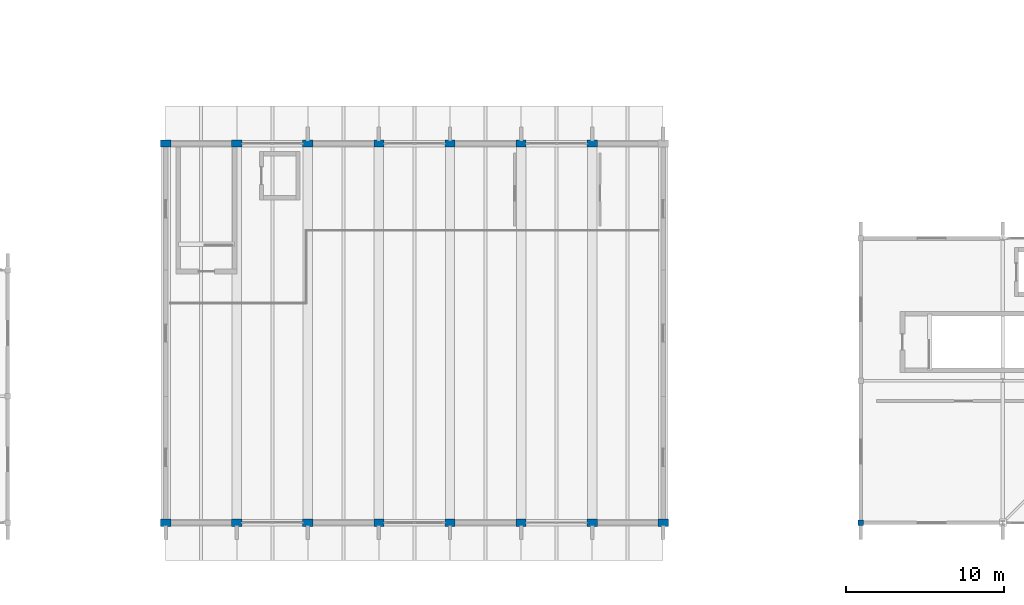
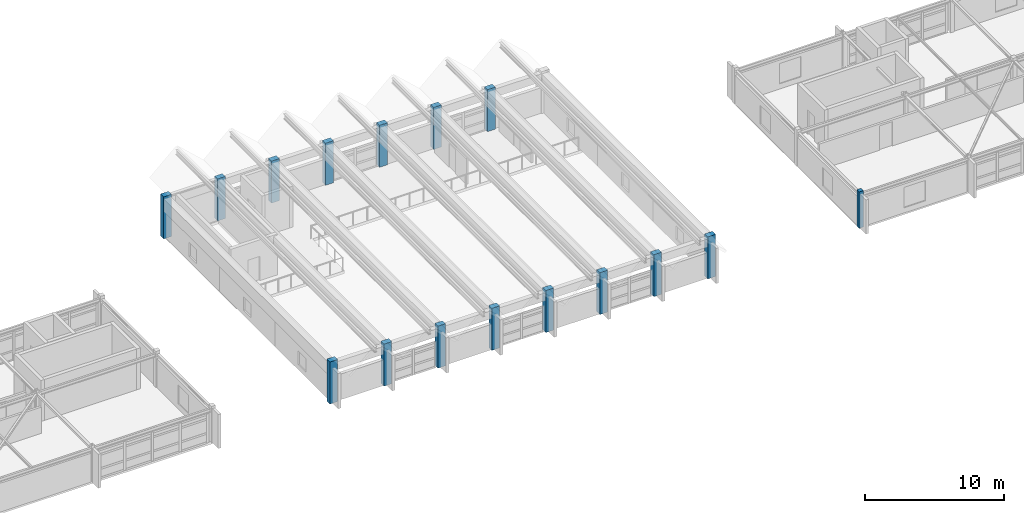
# One storey, part 4 of 83: 16 columns.
"""IFC4 building model written with IfcOpenShell, lengths in metres."""

from ifc_helpers import new_model, si_unit, direction, frame, origin, origin_2d, place, context, subcontext, project, spatial, rectangle, extrude, material, material_profile, profile_set, type_object, element, save


model = new_model("IFC4")

# Units and contexts
model_context = context("Model", 3, precision=1e-05, world=origin(), true_north=direction((0.0, 1.0)))
body_context = subcontext(model_context, "Body", "Model", "MODEL_VIEW")
ifc_project = project(units=[si_unit("LENGTHUNIT", "METRE"), si_unit("AREAUNIT", "SQUARE_METRE"), si_unit("VOLUMEUNIT", "CUBIC_METRE"), si_unit("PLANEANGLEUNIT", "RADIAN"), si_unit("MASSUNIT", "GRAM", prefix="KILO")], contexts=[model_context])

# Site, building, storey
site_placement = place(None, origin())
site = spatial("IfcSite", under=ifc_project, at=site_placement, CompositionType="ELEMENT")
building_placement = place(site_placement, origin())
building = spatial("IfcBuilding", under=site, at=building_placement, Name="Zimvara Arc Housing Community", CompositionType="ELEMENT")
storey_placement = place(building_placement, frame((0.0, 0.0, 4.5)))
storey = spatial("IfcBuildingStorey", under=building, at=storey_placement, Name="L01", CompositionType="ELEMENT", Elevation=4.5)

# Columns
ifc_material_1 = material(Name="Concrete C40/50", Category="concrete")
ifc_material_profile_1 = material_profile(ifc_material_1, rectangle(XDim=0.35009765625, YDim=0.35009765625, at=origin_2d()), Name="RC 350x350")
ifc_profile_set_1 = profile_set([ifc_material_profile_1], Name="Concrete C40/50")
column_type_1 = type_object("IfcColumnType", Name="COL-RC-350x350", PredefinedType="COLUMN", material=ifc_profile_set_1)
column_placement = place(storey_placement, frame((112.0, 3.60009765625, 0.0), z_axis=(0.0, 0.0, 1.0), x_axis=(1.0, 0.0, 0.0)))
element("IfcColumn", 1, at=column_placement, inside=storey, type_object=column_type_1, Name="col:nursery:L01:x0:y0", PredefinedType="COLUMN", context=body_context, shape_type="SweptSolid", body=[
    extrude(rectangle(XDim=0.35009765625, YDim=0.35009765625, at=origin_2d()), origin(), (0.0, 0.0, 1.0), 3.199951171875),
])
ifc_material_2 = material(Name="Concrete C40/50", Category="concrete")
ifc_material_profile_2 = material_profile(ifc_material_2, rectangle(XDim=0.449951171875, YDim=0.64990234375, at=origin_2d()), Name="RC 450x650")
ifc_profile_set_2 = profile_set([ifc_material_profile_2], Name="Concrete C40/50")
column_type_2 = type_object("IfcColumnType", Name="COL-RC-450x650", PredefinedType="COLUMN", material=ifc_profile_set_2)
for number, where, z_axis, x_axis, name in (
    (2, (68.0, 3.60009765625, 0.0), (0.0, 0.0, 1.0), (0.0, 1.0, 0.0), "col:hall:L01:x0:y0"),
    (3, (68.0, 27.60009765625, 0.0), (0.0, 0.0, 1.0), (0.0, 1.0, 0.0), "col:hall:L01:x0:y1"),
    (4, (72.5, 3.60009765625, 0.0), (0.0, 0.0, 1.0), (0.0, 1.0, 0.0), "col:hall:L01:x1:y0"),
    (5, (72.5, 27.60009765625, 0.0), (0.0, 0.0, 1.0), (0.0, 1.0, 0.0), "col:hall:L01:x1:y1"),
    (6, (77.0, 3.60009765625, 0.0), (0.0, 0.0, 1.0), (0.0, 1.0, 0.0), "col:hall:L01:x2:y0"),
    (7, (77.0, 27.60009765625, 0.0), (0.0, 0.0, 1.0), (0.0, 1.0, 0.0), "col:hall:L01:x2:y1"),
    (8, (81.5, 3.60009765625, 0.0), (0.0, 0.0, 1.0), (0.0, 1.0, 0.0), "col:hall:L01:x3:y0"),
    (9, (81.5, 27.60009765625, 0.0), (0.0, 0.0, 1.0), (0.0, 1.0, 0.0), "col:hall:L01:x3:y1"),
    (10, (86.0, 3.60009765625, 0.0), (0.0, 0.0, 1.0), (0.0, 1.0, 0.0), "col:hall:L01:x4:y0"),
    (11, (86.0, 27.60009765625, 0.0), (0.0, 0.0, 1.0), (0.0, 1.0, 0.0), "col:hall:L01:x4:y1"),
    (12, (90.5, 3.60009765625, 0.0), (0.0, 0.0, 1.0), (0.0, 1.0, 0.0), "col:hall:L01:x5:y0"),
    (13, (90.5, 27.60009765625, 0.0), (0.0, 0.0, 1.0), (0.0, 1.0, 0.0), "col:hall:L01:x5:y1"),
    (14, (95.0, 3.60009765625, 0.0), (0.0, 0.0, 1.0), (0.0, 1.0, 0.0), "col:hall:L01:x6:y0"),
    (15, (95.0, 27.60009765625, 0.0), (0.0, 0.0, 1.0), (0.0, 1.0, 0.0), "col:hall:L01:x6:y1"),
    (16, (99.5, 3.60009765625, 0.0), (0.0, 0.0, 1.0), (0.0, 1.0, 0.0), "col:hall:L01:x7:y0"),
):
    element("IfcColumn", number, at=place(storey_placement, frame(where, z_axis=z_axis, x_axis=x_axis)), inside=storey, type_object=column_type_2, Name=name, PredefinedType="COLUMN", context=body_context, shape_type="SweptSolid", body=[
        extrude(rectangle(XDim=0.449951171875, YDim=0.64990234375, at=origin_2d()), origin(), (0.0, 0.0, 1.0), 3.699951171875),
    ])

save(model, "model.ifc")
